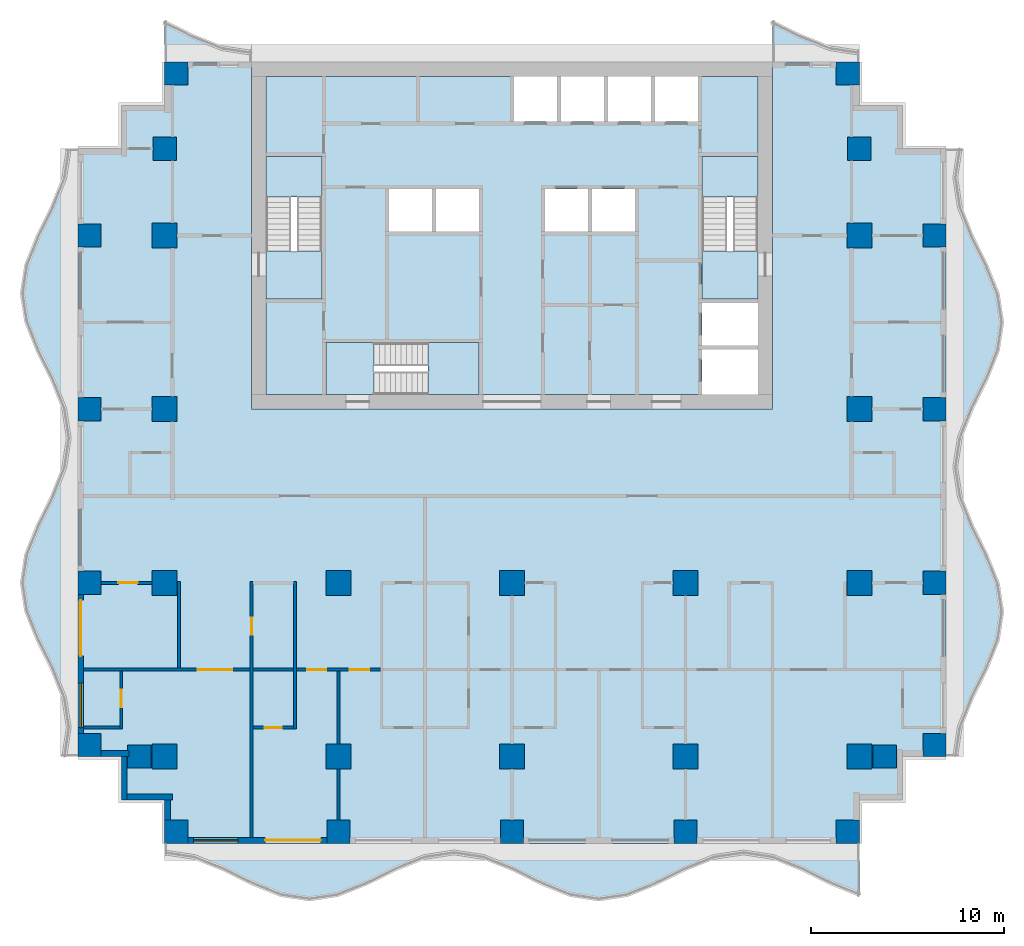
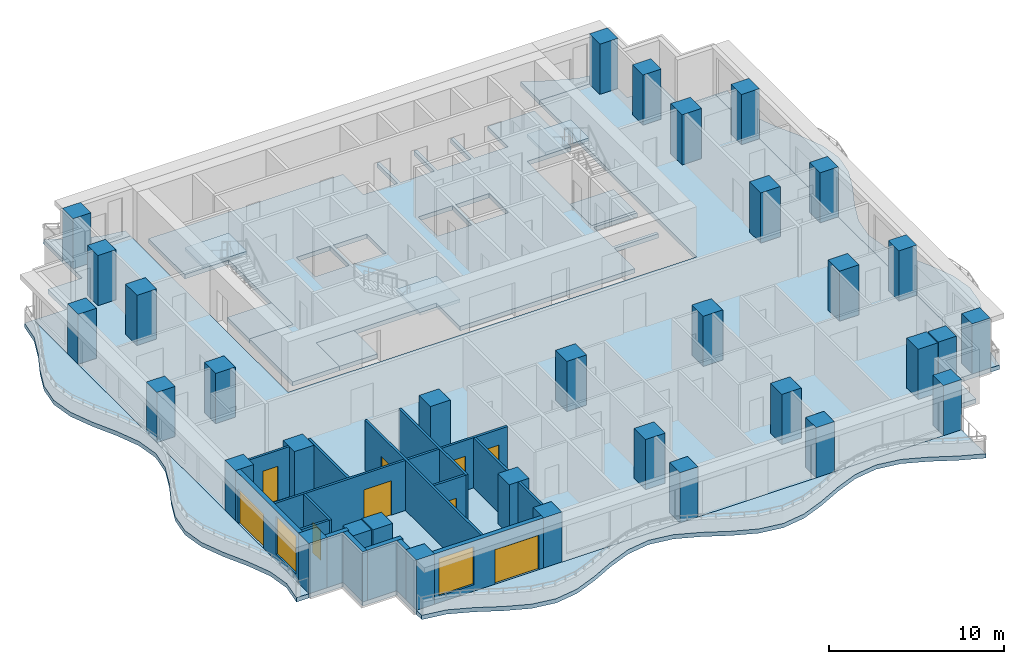
# One storey, part 1 of 10: 33 columns, 18 walls, 13 slabs, 9 doors, 2 windows, 11 openings, 3 elements without a shape of their own.
"""IFC4 building model written with IfcOpenShell, lengths in metres."""

from ifc_helpers import new_model, si_unit, direction, frame, frame_2d, origin, origin_2d, place, context, subcontext, project, spatial, polyline, rectangle, outline, extrude, material, layer, layer_set, material_profile, profile_set, type_object, element, fill, aggregate, save


model = new_model("IFC4")

# Units and contexts
model_context = context("Model", 3, precision=1e-05, world=origin(), true_north=direction((0.0, 1.0)))
body_context = subcontext(model_context, "Body", "Model", "MODEL_VIEW")
ifc_project = project(units=[si_unit("LENGTHUNIT", "METRE"), si_unit("AREAUNIT", "SQUARE_METRE"), si_unit("VOLUMEUNIT", "CUBIC_METRE"), si_unit("PLANEANGLEUNIT", "RADIAN"), si_unit("MASSUNIT", "GRAM", prefix="KILO")], contexts=[model_context])

# Site, building, storey
site_placement = place(None, origin())
site = spatial("IfcSite", under=ifc_project, at=site_placement, CompositionType="ELEMENT")
building_placement = place(site_placement, origin())
building = spatial("IfcBuilding", under=site, at=building_placement, Name="Orbiselva Terraces", CompositionType="ELEMENT")
storey_placement = place(building_placement, frame((0.0, 0.0, 136.4)))
storey = spatial("IfcBuildingStorey", under=building, at=storey_placement, Name="L34", CompositionType="ELEMENT", Elevation=136.4)

# Columns
ifc_material_1 = material(Name="Concrete C70/85", Category="concrete")
ifc_material_profile_1 = material_profile(ifc_material_1, rectangle(XDim=1.3, YDim=1.3, at=origin_2d()), Name="RC 1300x1300")
ifc_profile_set_1 = profile_set([ifc_material_profile_1], Name="Concrete C70/85")
column_type_1 = type_object("IfcColumnType", Name="COLUMN RC 1300x1300", PredefinedType="COLUMN", material=ifc_profile_set_1)
for number, where, z_axis, x_axis, name in (
    (1, (-18.0, -13.5, 0.0), (0.0, 0.0, 1.0), (1.0, 0.0, 0.0), "Column L34-01"),
    (2, (-18.0, -4.5, 0.0), (0.0, 0.0, 1.0), (1.0, 0.0, 0.0), "Column L34-03"),
    (3, (-18.0, 13.5, 0.0), (0.0, 0.0, 1.0), (1.0, 0.0, 0.0), "Column L34-04"),
    (4, (-18.0, 4.5, 0.0), (0.0, 0.0, 1.0), (1.0, 0.0, 0.0), "Column L34-06"),
    (5, (-9.0, -13.5, 0.0), (0.0, 0.0, 1.0), (1.0, 0.0, 0.0), "Column L34-13"),
    (6, (-9.0, -4.5, 0.0), (0.0, 0.0, 1.0), (1.0, 0.0, 0.0), "Column L34-15"),
    (7, (0.0, -13.5, 0.0), (0.0, 0.0, 1.0), (1.0, 0.0, 0.0), "Column L34-16"),
    (8, (0.0, -4.5, 0.0), (0.0, 0.0, 1.0), (1.0, 0.0, 0.0), "Column L34-18"),
    (9, (18.0, -13.5, 0.0), (0.0, 0.0, 1.0), (1.0, 0.0, 0.0), "Column L34-19"),
    (10, (18.0, -4.5, 0.0), (0.0, 0.0, 1.0), (1.0, 0.0, 0.0), "Column L34-21"),
    (11, (18.0, 13.5, 0.0), (0.0, 0.0, 1.0), (1.0, 0.0, 0.0), "Column L34-22"),
    (12, (18.0, 4.5, 0.0), (0.0, 0.0, 1.0), (1.0, 0.0, 0.0), "Column L34-24"),
    (13, (9.0, -13.5, 0.0), (0.0, 0.0, 1.0), (1.0, 0.0, 0.0), "Column L34-31"),
    (14, (9.0, -4.5, 0.0), (0.0, 0.0, 1.0), (1.0, 0.0, 0.0), "Column L34-33"),
):
    element("IfcColumn", number, at=place(storey_placement, frame(where, z_axis=z_axis, x_axis=x_axis)), inside=storey, type_object=column_type_1, Name=name, PredefinedType="COLUMN", context=body_context, shape_type="SweptSolid", body=[
        extrude(rectangle(XDim=1.3, YDim=1.3, at=origin_2d()), origin(), (0.0, 0.0, 1.0), 3.5),
    ])
ifc_material_2 = material(Name="Concrete C60/75", Category="concrete")
ifc_material_profile_2 = material_profile(ifc_material_2, rectangle(XDim=1.2, YDim=1.2, at=origin_2d()), Name="RC 1200x1200")
ifc_profile_set_2 = profile_set([ifc_material_profile_2], Name="Concrete C60/75")
column_type_2 = type_object("IfcColumnType", Name="PERIMETER COLUMN RC 1200x1200", PredefinedType="COLUMN", material=ifc_profile_set_2)
for number, where, z_axis, x_axis, name in (
    (15, (-17.4, -17.4, 0.0), (0.0, 0.0, 1.0), (1.0, 0.0, 0.0), "Column L34-02"),
    (16, (-17.4, 21.9, 0.0), (0.0, 0.0, 1.0), (1.0, 0.0, 0.0), "Column L34-05"),
    (17, (-21.9, -12.9, 0.0), (0.0, 0.0, 1.0), (1.0, 0.0, 0.0), "Column L34-07"),
    (18, (-19.32, -13.5, 0.0), (0.0, 0.0, 1.0), (1.0, 0.0, 0.0), "Column L34-08"),
    (19, (-21.9, -4.5, 0.0), (0.0, 0.0, 1.0), (1.0, 0.0, 0.0), "Column L34-09"),
    (20, (-21.9, 13.5, 0.0), (0.0, 0.0, 1.0), (1.0, 0.0, 0.0), "Column L34-10"),
    (21, (-18.0, 18.0, 0.0), (0.0, 0.0, 1.0), (1.0, 0.0, 0.0), "Column L34-11"),
    (22, (-21.9, 4.5, 0.0), (0.0, 0.0, 1.0), (1.0, 0.0, 0.0), "Column L34-12"),
    (23, (-9.0, -17.4, 0.0), (0.0, 0.0, 1.0), (1.0, 0.0, 0.0), "Column L34-14"),
    (24, (0.0, -17.4, 0.0), (0.0, 0.0, 1.0), (1.0, 0.0, 0.0), "Column L34-17"),
    (25, (17.4, -17.4, 0.0), (0.0, 0.0, 1.0), (1.0, 0.0, 0.0), "Column L34-20"),
    (26, (17.4, 21.9, 0.0), (0.0, 0.0, 1.0), (1.0, 0.0, 0.0), "Column L34-23"),
    (27, (21.9, -12.9, 0.0), (0.0, 0.0, 1.0), (1.0, 0.0, 0.0), "Column L34-25"),
    (28, (19.32, -13.5, 0.0), (0.0, 0.0, 1.0), (1.0, 0.0, 0.0), "Column L34-26"),
    (29, (21.9, -4.5, 0.0), (0.0, 0.0, 1.0), (1.0, 0.0, 0.0), "Column L34-27"),
    (30, (21.9, 13.5, 0.0), (0.0, 0.0, 1.0), (1.0, 0.0, 0.0), "Column L34-28"),
    (31, (18.0, 18.0, 0.0), (0.0, 0.0, 1.0), (1.0, 0.0, 0.0), "Column L34-29"),
    (32, (21.9, 4.5, 0.0), (0.0, 0.0, 1.0), (1.0, 0.0, 0.0), "Column L34-30"),
    (33, (9.0, -17.4, 0.0), (0.0, 0.0, 1.0), (1.0, 0.0, 0.0), "Column L34-32"),
):
    element("IfcColumn", number, at=place(storey_placement, frame(where, z_axis=z_axis, x_axis=x_axis)), inside=storey, type_object=column_type_2, Name=name, PredefinedType="COLUMN", context=body_context, shape_type="SweptSolid", body=[
        extrude(rectangle(XDim=1.2, YDim=1.2, at=origin_2d()), origin(), (0.0, 0.0, 1.0), 3.5),
    ])

# Slabs
ifc_material_3 = material(Name="Concrete C40/50", Category="concrete")
ifc_layer_1 = layer(ifc_material_3, 0.3)
ifc_layer_set_1 = layer_set([ifc_layer_1], Name="Concrete C40/50")
slab_type_1 = type_object("IfcSlabType", Name="CORE-SLAB-FLOOR-300", PredefinedType="FLOOR", material=ifc_layer_set_1)
slab_1_placement = place(storey_placement, frame((0.0, 0.0, -0.3)))
element("IfcSlab", 34, at=slab_1_placement, inside=storey, type_object=slab_type_1, Name="L34 S1 floor landing", PredefinedType="FLOOR", context=body_context, shape_type="SweptSolid", body=[
    extrude(outline(polyline([(-12.75, 12.7), (-9.85, 12.7), (-9.85, 10.2), (-12.75, 10.2), (-12.75, 12.7)])), origin(), (0.0, 0.0, 1.0), 0.3),
])
slab_2_placement = place(storey_placement, frame((0.0, 0.0, -0.3)))
element("IfcSlab", 35, at=slab_2_placement, inside=storey, type_object=slab_type_1, Name="L34 S2 floor landing", PredefinedType="FLOOR", context=body_context, shape_type="SweptSolid", body=[
    extrude(outline(polyline([(12.75, 12.7), (12.75, 10.2), (9.85, 10.2), (9.85, 12.7), (12.75, 12.7)])), origin(), (0.0, 0.0, 1.0), 0.3),
])
slab_3_placement = place(storey_placement, frame((0.0, 0.0, -0.3)))
element("IfcSlab", 36, at=slab_3_placement, inside=storey, type_object=slab_type_1, Name="L34 S3 floor landing", PredefinedType="FLOOR", context=body_context, shape_type="SweptSolid", body=[
    extrude(outline(polyline([(-7.15, 5.25), (-9.65, 5.25), (-9.65, 7.95), (-7.15, 7.95), (-7.15, 5.25)])), origin(), (0.0, 0.0, 1.0), 0.3),
])
slab_4_placement = place(storey_placement, frame((0.0, 0.0, -0.3)))
element("IfcSlab", 37, at=slab_4_placement, inside=storey, type_object=slab_type_1, Name="L34 core floor slab 1", PredefinedType="FLOOR", context=body_context, shape_type="SweptSolid", body=[
    extrude(outline(polyline([(-1.7, 5.25), (-1.7, 7.95), (-9.65, 7.95), (-9.65, 5.25), (-12.75, 5.25), (-12.75, 10.2), (-9.85, 10.2), (-9.85, 17.6), (-12.75, 17.6), (-12.75, 21.75), (0.1, 21.75), (0.1, 19.4), (2.3375, 19.4), (2.3375, 21.75), (2.5375, 21.75), (2.5375, 19.4), (4.775, 19.4), (4.775, 21.75), (4.975, 21.75), (4.975, 19.4), (7.2125, 19.4), (7.2125, 21.75), (7.4125, 21.75), (7.4125, 19.4), (9.65, 19.4), (9.65, 21.75), (12.75, 21.75), (12.75, 17.6), (9.85, 17.6), (9.85, 10.2), (12.75, 10.2), (12.75, 10.0), (9.85, 10.0), (9.85, 7.8), (12.75, 7.8), (12.75, 7.6), (9.85, 7.6), (9.85, 5.25), (-1.7, 5.25)]), holes=[polyline([(-4.1375, 13.7), (-4.1375, 15.9), (-6.375, 15.9), (-6.375, 13.7), (-4.1375, 13.7)]), polyline([(-1.7, 13.7), (-1.7, 15.9), (-3.9375, 15.9), (-3.9375, 13.7), (-1.7, 13.7)]), polyline([(3.9375, 15.9), (1.7, 15.9), (1.7, 13.7), (3.9375, 13.7), (3.9375, 15.9)]), polyline([(6.375, 13.7), (6.375, 15.9), (4.1375, 15.9), (4.1375, 13.7), (6.375, 13.7)])]), origin(), (0.0, 0.0, 1.0), 0.3),
])

# Stair, slab
stair_type_1 = type_object("IfcStairType", Name="CORE-STAIR-1300", PredefinedType="HALF_TURN_STAIR", material=ifc_material_3)
stair_1_placement = place(storey_placement, origin())
stair_1 = element("IfcStair", 38, at=stair_1_placement, inside=storey, type_object=stair_type_1, Name="L34 Exit Stair S1", PredefinedType="HALF_TURN_STAIR")
ifc_layer_2 = layer(ifc_material_3, 0.2)
ifc_layer_set_2 = layer_set([ifc_layer_2], Name="Concrete C40/50")
slab_type_2 = type_object("IfcSlabType", Name="CORE-STAIR-LANDING-200", PredefinedType="LANDING", material=ifc_layer_set_2)
slab_5_placement = place(storey_placement, frame((0.0, 0.0, 1.7)))
slab_5 = element("IfcSlab", 39, at=slab_5_placement, type_object=slab_type_2, Name="S1 landing 1", PredefinedType="LANDING", context=body_context, shape_type="SweptSolid", body=[
    extrude(outline(polyline([(-9.85, 15.5), (-9.85, 17.6), (-12.75, 17.6), (-12.75, 15.5), (-9.85, 15.5)])), origin(), (0.0, 0.0, 1.0), 0.2),
])
aggregate(stair_1, [slab_5])

stair_2_placement = place(storey_placement, origin())
stair_2 = element("IfcStair", 40, at=stair_2_placement, inside=storey, type_object=stair_type_1, Name="L34 Exit Stair S2", PredefinedType="HALF_TURN_STAIR")
slab_6_placement = place(storey_placement, frame((0.0, 0.0, 1.7)))
slab_6 = element("IfcSlab", 41, at=slab_6_placement, type_object=slab_type_2, Name="S2 landing 1", PredefinedType="LANDING", context=body_context, shape_type="SweptSolid", body=[
    extrude(outline(polyline([(12.75, 15.5), (12.75, 17.6), (9.85, 17.6), (9.85, 15.5), (12.75, 15.5)])), origin(), (0.0, 0.0, 1.0), 0.2),
])
aggregate(stair_2, [slab_6])

stair_type_2 = type_object("IfcStairType", Name="CORE-STAIR-1200", PredefinedType="HALF_TURN_STAIR", material=ifc_material_3)
stair_3_placement = place(storey_placement, origin())
stair_3 = element("IfcStair", 42, at=stair_3_placement, inside=storey, type_object=stair_type_2, Name="L34 Exit Stair S3", PredefinedType="HALF_TURN_STAIR")
slab_7_placement = place(storey_placement, frame((0.0, 0.0, 1.7)))
slab_7 = element("IfcSlab", 43, at=slab_7_placement, type_object=slab_type_2, Name="S3 landing 1", PredefinedType="LANDING", context=body_context, shape_type="SweptSolid", body=[
    extrude(outline(polyline([(-4.35, 5.25), (-1.7, 5.25), (-1.7, 7.95), (-4.35, 7.95), (-4.35, 5.25)])), origin(), (0.0, 0.0, 1.0), 0.2),
])
aggregate(stair_3, [slab_7])

# Slabs
ifc_material_4 = material(Name="Concrete C50/60", Category="concrete")
ifc_layer_3 = layer(ifc_material_4, 0.3)
ifc_layer_set_3 = layer_set([ifc_layer_3], Name="Concrete C50/60")
slab_type_3 = type_object("IfcSlabType", Name="ENV-BALCONY-SLAB-300", PredefinedType="FLOOR", material=ifc_layer_set_3)
slab_8_placement = place(storey_placement, frame((0.0, 0.0, -0.3)))
element("IfcSlab", 44, at=slab_8_placement, inside=storey, type_object=slab_type_3, Name="Balcony slab L34 S", PredefinedType="FLOOR", context=body_context, shape_type="SweptSolid", body=[
    extrude(outline(polyline([(-18.0, -18.6), (-16.5, -18.82918), (-15.0, -19.42918), (-13.5, -20.17082), (-12.0, -20.77082), (-10.5, -21.0), (-9.0, -20.77082), (-7.5, -20.17082), (-6.0, -19.42918), (-4.5, -18.82918), (-3.0, -18.6), (-1.5, -18.82918), (0.0, -19.42918), (1.5, -20.17082), (3.0, -20.77082), (4.5, -21.0), (6.0, -20.77082), (7.5, -20.17082), (9.0, -19.42918), (10.5, -18.82918), (12.0, -18.6), (13.5, -18.82918), (15.0, -19.42918), (16.5, -20.17082), (18.0, -20.77082), (18.0, -18.0), (-18.0, -18.0), (-18.0, -18.6)])), origin(), (0.0, 0.0, 1.0), 0.3),
])
slab_9_placement = place(storey_placement, frame((0.0, 0.0, -0.3)))
element("IfcSlab", 45, at=slab_9_placement, inside=storey, type_object=slab_type_3, Name="Balcony slab L34 E", PredefinedType="FLOOR", context=body_context, shape_type="SweptSolid", body=[
    extrude(outline(polyline([(23.1, -13.5), (23.32918, -12.0), (23.92918, -10.5), (24.67082, -9.0), (25.27082, -7.5), (25.5, -6.0), (25.27082, -4.5), (24.67082, -3.0), (23.92918, -1.5), (23.32918, 0.0), (23.1, 1.5), (23.32918, 3.0), (23.92918, 4.5), (24.67082, 6.0), (25.27082, 7.5), (25.5, 9.0), (25.27082, 10.5), (24.67082, 12.0), (23.92918, 13.5), (23.32918, 15.0), (23.1, 16.5), (23.32918, 18.0), (22.5, 18.0), (22.5, -13.5), (23.1, -13.5)])), origin(), (0.0, 0.0, 1.0), 0.3),
])
slab_10_placement = place(storey_placement, frame((0.0, 0.0, -0.3)))
element("IfcSlab", 46, at=slab_10_placement, inside=storey, type_object=slab_type_3, Name="Balcony slab L34 NE", PredefinedType="FLOOR", context=body_context, shape_type="SweptSolid", body=[
    extrude(outline(polyline([(18.0, 23.1), (16.5, 23.32918), (15.0, 23.92918), (13.5, 24.67082), (13.5, 22.5), (18.0, 22.5), (18.0, 23.1)])), origin(), (0.0, 0.0, 1.0), 0.3),
])
slab_11_placement = place(storey_placement, frame((0.0, 0.0, -0.3)))
element("IfcSlab", 47, at=slab_11_placement, inside=storey, type_object=slab_type_3, Name="Balcony slab L34 NW", PredefinedType="FLOOR", context=body_context, shape_type="SweptSolid", body=[
    extrude(outline(polyline([(-13.5, 23.1), (-15.0, 23.32918), (-16.5, 23.92918), (-18.0, 24.67082), (-18.0, 22.5), (-13.5, 22.5), (-13.5, 23.1)])), origin(), (0.0, 0.0, 1.0), 0.3),
])
slab_12_placement = place(storey_placement, frame((0.0, 0.0, -0.3)))
element("IfcSlab", 48, at=slab_12_placement, inside=storey, type_object=slab_type_3, Name="Balcony slab L34 W", PredefinedType="FLOOR", context=body_context, shape_type="SweptSolid", body=[
    extrude(outline(polyline([(-23.1, 18.0), (-23.32918, 16.5), (-23.92918, 15.0), (-24.67082, 13.5), (-25.27082, 12.0), (-25.5, 10.5), (-25.27082, 9.0), (-24.67082, 7.5), (-23.92918, 6.0), (-23.32918, 4.5), (-23.1, 3.0), (-23.32918, 1.5), (-23.92918, 0.0), (-24.67082, -1.5), (-25.27082, -3.0), (-25.5, -4.5), (-25.27082, -6.0), (-24.67082, -7.5), (-23.92918, -9.0), (-23.32918, -10.5), (-23.1, -12.0), (-23.32918, -13.5), (-22.5, -13.5), (-22.5, 18.0), (-23.1, 18.0)])), origin(), (0.0, 0.0, 1.0), 0.3),
])
ifc_layer_4 = layer(ifc_material_4, 0.3)
ifc_layer_set_4 = layer_set([ifc_layer_4], Name="Concrete C50/60")
slab_type_4 = type_object("IfcSlabType", Name="FLOOR SLAB 300", PredefinedType="FLOOR", material=ifc_layer_set_4)
slab_13_placement = place(storey_placement, frame((0.0, 0.0, -0.3)))
element("IfcSlab", 49, at=slab_13_placement, inside=storey, type_object=slab_type_4, Name="Floor slab L34", PredefinedType="FLOOR", context=body_context, shape_type="SweptSolid", body=[
    extrude(outline(polyline([(18.0, 22.5), (18.0, 20.25), (20.25, 20.25), (20.25, 18.0), (22.5, 18.0), (22.5, -13.5), (20.25, -13.5), (20.25, -15.75), (18.0, -15.75), (18.0, -18.0), (-18.0, -18.0), (-18.0, -15.75), (-20.25, -15.75), (-20.25, -13.5), (-22.5, -13.5), (-22.5, 18.0), (-20.25, 18.0), (-20.25, 20.25), (-18.0, 20.25), (-18.0, 22.5), (-13.5, 22.5), (-13.5, 4.5), (13.5, 4.5), (13.5, 22.5), (18.0, 22.5)])), origin(), (0.0, 0.0, 1.0), 0.3),
])

# Wall, openings, door, window
ifc_material_5 = material(Name="Terracotta cladding on masonry backing", Category="masonry")
ifc_layer_5 = layer(ifc_material_5, 0.3)
ifc_layer_set_5 = layer_set([ifc_layer_5], Name="Terracotta cladding on masonry backing")
wall_type_1 = type_object("IfcWallType", Name="ENV-WALL-TERRACOTTA-300", PredefinedType="SOLIDWALL", material=ifc_layer_set_5)
wall_1_placement = place(storey_placement, frame((-9.6, -17.85, 0.0), z_axis=(0.0, 0.0, 1.0), x_axis=(-1.0, 0.0, 0.0)))
wall_1 = element("IfcWall", 50, at=wall_1_placement, inside=storey, type_object=wall_type_1, Name="Facade wall L34 S", PredefinedType="SOLIDWALL", context=body_context, shape_type="SweptSolid", body=[
    extrude(rectangle(XDim=7.2, YDim=0.3, at=frame_2d((3.6, 0.0))), origin(), (0.0, 0.0, 1.0), 3.5),
])
opening_1_placement = place(wall_1_placement, frame((4.6, 0.0, 0.45)))
opening_1 = element("IfcOpeningElement", 51, at=opening_1_placement, cuts=wall_1, Name="Opening WN7", PredefinedType="OPENING", context=body_context, shape_type="SweptSolid", body=[
    extrude(rectangle(XDim=2.3, YDim=2.65, at=frame_2d((1.15, 1.325))), frame((0.0, 0.16, 0.0), z_axis=(0.0, -1.0, 0.0), x_axis=(1.0, 0.0, 0.0)), (0.0, 0.0, 1.0), 0.32),
])
opening_2_placement = place(wall_1_placement, frame((0.3, 0.0, 0.0)))
opening_2 = element("IfcOpeningElement", 52, at=opening_2_placement, cuts=wall_1, Name="Opening Z3-B-E01", PredefinedType="OPENING", context=body_context, shape_type="SweptSolid", body=[
    extrude(rectangle(XDim=2.9, YDim=2.4, at=frame_2d((1.45, 1.2))), frame((0.0, 0.16, 0.0), z_axis=(0.0, -1.0, 0.0), x_axis=(1.0, 0.0, 0.0)), (0.0, 0.0, 1.0), 0.32),
])
ifc_material_6 = material(Name="Clear low-e glazing in aluminium frame", Category="aluminium")
door_type_1 = type_object("IfcDoorType", Name="BALCONY DOOR 2900 X 2400", OperationType="DOUBLE_DOOR_SLIDING", PredefinedType="DOOR", material=ifc_material_6)
door_1_placement = place(opening_2_placement, origin())
door_1 = element("IfcDoor", 53, at=door_1_placement, inside=storey, type_object=door_type_1, Name="Z3-B-E01", OperationType="SINGLE_SWING_LEFT", OverallHeight=2.4, OverallWidth=2.9, PredefinedType="DOOR", context=body_context, shape_type="SweptSolid", body=[
    extrude(rectangle(XDim=2.9, YDim=2.4, at=frame_2d((1.45, 1.2))), frame((0.0, 0.025, 0.0), z_axis=(0.0, -1.0, 0.0), x_axis=(1.0, 0.0, 0.0)), (0.0, 0.0, 1.0), 0.05),
])
fill(opening_2, door_1)
window_type = type_object("IfcWindowType", Name="WINDOW 2300 X 2650 S450", PartitioningType="TRIPLE_PANEL_VERTICAL", PredefinedType="WINDOW", material=ifc_material_6)
window_1_placement = place(opening_1_placement, origin())
window_1 = element("IfcWindow", 54, at=window_1_placement, inside=storey, type_object=window_type, Name="Window L34 S", OverallHeight=2.65, OverallWidth=2.3, PartitioningType="SINGLE_PANEL", PredefinedType="WINDOW", context=body_context, shape_type="SweptSolid", body=[
    extrude(rectangle(XDim=2.3, YDim=2.65, at=frame_2d((1.15, 1.325))), frame((0.0, 0.03, 0.0), z_axis=(0.0, -1.0, 0.0), x_axis=(1.0, 0.0, 0.0)), (0.0, 0.0, 1.0), 0.06),
])
fill(opening_1, window_1)

wall_2_placement = place(storey_placement, frame((-22.35, -12.3, 0.0), z_axis=(0.0, 0.0, 1.0), x_axis=(0.0, 1.0, 0.0)))
wall_2 = element("IfcWall", 55, at=wall_2_placement, inside=storey, type_object=wall_type_1, Name="Facade wall L34 W", PredefinedType="SOLIDWALL", context=body_context, shape_type="SweptSolid", body=[
    extrude(rectangle(XDim=7.2, YDim=0.3, at=frame_2d((3.6, 0.0))), origin(), (0.0, 0.0, 1.0), 3.5),
])
opening_3_placement = place(wall_2_placement, frame((4.0, 0.0, 0.0)))
opening_3 = element("IfcOpeningElement", 56, at=opening_3_placement, cuts=wall_2, Name="Opening Z3-B-E11", PredefinedType="OPENING", context=body_context, shape_type="SweptSolid", body=[
    extrude(rectangle(XDim=2.9, YDim=2.4, at=frame_2d((1.45, 1.2))), frame((0.0, 0.16, 0.0), z_axis=(0.0, -1.0, 0.0), x_axis=(1.0, 0.0, 0.0)), (0.0, 0.0, 1.0), 0.32),
])
opening_4_placement = place(wall_2_placement, frame((0.3, 0.0, 0.45)))
opening_4 = element("IfcOpeningElement", 57, at=opening_4_placement, cuts=wall_2, Name="Opening WN7", PredefinedType="OPENING", context=body_context, shape_type="SweptSolid", body=[
    extrude(rectangle(XDim=2.3, YDim=2.65, at=frame_2d((1.15, 1.325))), frame((0.0, 0.16, 0.0), z_axis=(0.0, -1.0, 0.0), x_axis=(1.0, 0.0, 0.0)), (0.0, 0.0, 1.0), 0.32),
])
door_2_placement = place(opening_3_placement, origin())
door_2 = element("IfcDoor", 58, at=door_2_placement, inside=storey, type_object=door_type_1, Name="Z3-B-E11", OperationType="SINGLE_SWING_LEFT", OverallHeight=2.4, OverallWidth=2.9, PredefinedType="DOOR", context=body_context, shape_type="SweptSolid", body=[
    extrude(rectangle(XDim=2.9, YDim=2.4, at=frame_2d((1.45, 1.2))), frame((0.0, 0.025, 0.0), z_axis=(0.0, -1.0, 0.0), x_axis=(1.0, 0.0, 0.0)), (0.0, 0.0, 1.0), 0.05),
])
fill(opening_3, door_2)
window_2_placement = place(opening_4_placement, origin())
window_2 = element("IfcWindow", 59, at=window_2_placement, inside=storey, type_object=window_type, Name="Window L34 W", OverallHeight=2.65, OverallWidth=2.3, PartitioningType="SINGLE_PANEL", PredefinedType="WINDOW", context=body_context, shape_type="SweptSolid", body=[
    extrude(rectangle(XDim=2.3, YDim=2.65, at=frame_2d((1.15, 1.325))), frame((0.0, 0.03, 0.0), z_axis=(0.0, -1.0, 0.0), x_axis=(1.0, 0.0, 0.0)), (0.0, 0.0, 1.0), 0.06),
])
fill(opening_4, window_2)

# Walls
wall_3_placement = place(storey_placement, frame((-19.85, -13.35, 0.0), z_axis=(0.0, 0.0, 1.0), x_axis=(-1.0, 0.0, 0.0)))
element("IfcWall", 60, at=wall_3_placement, inside=storey, type_object=wall_type_1, Name="Facade wall L34 STEP", PredefinedType="SOLIDWALL", context=body_context, shape_type="SweptSolid", body=[
    extrude(rectangle(XDim=1.45, YDim=0.3, at=frame_2d((0.725, 0.0))), origin(), (0.0, 0.0, 1.0), 3.5),
])
wall_4_placement = place(storey_placement, frame((-20.1, -15.75, 0.0), z_axis=(0.0, 0.0, 1.0), x_axis=(0.0, 1.0, 0.0)))
element("IfcWall", 61, at=wall_4_placement, inside=storey, type_object=wall_type_1, Name="Facade wall L34 STEP", PredefinedType="SOLIDWALL", context=body_context, shape_type="SweptSolid", body=[
    extrude(rectangle(XDim=2.25, YDim=0.3, at=frame_2d((1.125, 0.0))), origin(), (0.0, 0.0, 1.0), 3.5),
])
wall_5_placement = place(storey_placement, frame((-17.6, -15.6, 0.0), z_axis=(0.0, 0.0, 1.0), x_axis=(-1.0, 0.0, 0.0)))
element("IfcWall", 62, at=wall_5_placement, inside=storey, type_object=wall_type_1, Name="Facade wall L34 STEP", PredefinedType="SOLIDWALL", context=body_context, shape_type="SweptSolid", body=[
    extrude(rectangle(XDim=2.35, YDim=0.3, at=frame_2d((1.175, 0.0))), origin(), (0.0, 0.0, 1.0), 3.5),
])
wall_6_placement = place(storey_placement, frame((-17.85, -16.8, 0.0), z_axis=(0.0, 0.0, 1.0), x_axis=(0.0, 1.0, 0.0)))
element("IfcWall", 63, at=wall_6_placement, inside=storey, type_object=wall_type_1, Name="Facade wall L34 STEP", PredefinedType="SOLIDWALL", context=body_context, shape_type="SweptSolid", body=[
    extrude(rectangle(XDim=1.05, YDim=0.3, at=frame_2d((0.525, 0.0))), origin(), (0.0, 0.0, 1.0), 3.5),
])
ifc_material_7 = material(Name="Plasterboard on steel stud partition", Category="steel")
ifc_layer_6 = layer(ifc_material_7, 0.15)
ifc_layer_set_6 = layer_set([ifc_layer_6], Name="Plasterboard on steel stud partition")
wall_type_2 = type_object("IfcWallType", Name="UNIT-PARTITION-150", PredefinedType="PARTITIONING", material=ifc_layer_set_6)
wall_7_placement = place(storey_placement, frame((-22.2, -12.0, 0.0), z_axis=(0.0, 0.0, 1.0), x_axis=(1.0, 0.0, 0.0)))
element("IfcWall", 64, at=wall_7_placement, inside=storey, type_object=wall_type_2, Name="PARTITION L34-001", PredefinedType="PARTITIONING", context=body_context, shape_type="SweptSolid", body=[
    extrude(rectangle(XDim=1.875, YDim=0.15, at=frame_2d((0.9375, 0.0))), origin(), (0.0, 0.0, 1.0), 3.5),
])

# Wall, opening, door
wall_8_placement = place(storey_placement, frame((-13.425, -12.0, 0.0), z_axis=(0.0, 0.0, 1.0), x_axis=(1.0, 0.0, 0.0)))
wall_8 = element("IfcWall", 65, at=wall_8_placement, inside=storey, type_object=wall_type_2, Name="PARTITION L34-002", PredefinedType="PARTITIONING", context=body_context, shape_type="SweptSolid", body=[
    extrude(rectangle(XDim=2.1, YDim=0.15, at=frame_2d((1.05, 0.0))), origin(), (0.0, 0.0, 1.0), 3.5),
])
opening_5_placement = place(wall_8_placement, frame((0.6, 0.0, 0.0)))
opening_5 = element("IfcOpeningElement", 66, at=opening_5_placement, cuts=wall_8, Name="Opening Z3-B-20", PredefinedType="OPENING", context=body_context, shape_type="SweptSolid", body=[
    extrude(rectangle(XDim=0.9, YDim=2.1, at=frame_2d((0.45, 1.05))), frame((0.0, 0.085, 0.0), z_axis=(0.0, -1.0, 0.0), x_axis=(1.0, 0.0, 0.0)), (0.0, 0.0, 1.0), 0.17),
])
ifc_material_8 = material(Name="Painted timber door leaf", Category="wood")
door_type_2 = type_object("IfcDoorType", Name="BATH DOOR 900", OperationType="NOTDEFINED", PredefinedType="DOOR", material=ifc_material_8)
door_3_placement = place(opening_5_placement, origin())
door_3 = element("IfcDoor", 67, at=door_3_placement, inside=storey, type_object=door_type_2, Name="Z3-B-20", OperationType="SINGLE_SWING_LEFT", OverallHeight=2.1, OverallWidth=0.9, PredefinedType="DOOR", context=body_context, shape_type="SweptSolid", body=[
    extrude(rectangle(XDim=0.9, YDim=2.1, at=frame_2d((0.45, 1.05))), frame((0.0, 0.025, 0.0), z_axis=(0.0, -1.0, 0.0), x_axis=(1.0, 0.0, 0.0)), (0.0, 0.0, 1.0), 0.05),
])
fill(opening_5, door_3)

wall_9_placement = place(storey_placement, frame((-13.575, -9.0, 0.0), z_axis=(0.0, 0.0, 1.0), x_axis=(-1.0, 0.0, 0.0)))
wall_9 = element("IfcWall", 68, at=wall_9_placement, inside=storey, type_object=wall_type_2, Name="PARTITION L34-008", PredefinedType="PARTITIONING", context=body_context, shape_type="SweptSolid", body=[
    extrude(rectangle(XDim=8.625, YDim=0.15, at=frame_2d((4.3125, 0.0))), origin(), (0.0, 0.0, 1.0), 3.5),
])
opening_6_placement = place(wall_9_placement, frame((0.925, 0.0, 0.0)))
opening_6 = element("IfcOpeningElement", 69, at=opening_6_placement, cuts=wall_9, Name="Opening Z3-B-17", PredefinedType="OPENING", context=body_context, shape_type="SweptSolid", body=[
    extrude(rectangle(XDim=1.8, YDim=2.4, at=frame_2d((0.9, 1.2))), frame((0.0, 0.085, 0.0), z_axis=(0.0, -1.0, 0.0), x_axis=(1.0, 0.0, 0.0)), (0.0, 0.0, 1.0), 0.17),
])
door_type_3 = type_object("IfcDoorType", Name="DOUBLE DOOR 1800", OperationType="NOTDEFINED", PredefinedType="DOOR", material=ifc_material_8)
door_4_placement = place(opening_6_placement, origin())
door_4 = element("IfcDoor", 70, at=door_4_placement, inside=storey, type_object=door_type_3, Name="Z3-B-17", OperationType="DOUBLE_DOOR_SINGLE_SWING", OverallHeight=2.4, OverallWidth=1.8, PredefinedType="DOOR", context=body_context, shape_type="SweptSolid", body=[
    extrude(rectangle(XDim=1.8, YDim=2.4, at=frame_2d((0.9, 1.2))), frame((0.0, 0.025, 0.0), z_axis=(0.0, -1.0, 0.0), x_axis=(1.0, 0.0, 0.0)), (0.0, 0.0, 1.0), 0.05),
])
fill(opening_6, door_4)

# Wall
wall_10_placement = place(storey_placement, frame((-13.425, -9.0, 0.0), z_axis=(0.0, 0.0, 1.0), x_axis=(1.0, 0.0, 0.0)))
element("IfcWall", 71, at=wall_10_placement, inside=storey, type_object=wall_type_2, Name="PARTITION L34-009", PredefinedType="PARTITIONING", context=body_context, shape_type="SweptSolid", body=[
    extrude(rectangle(XDim=2.1, YDim=0.15, at=frame_2d((1.05, 0.0))), origin(), (0.0, 0.0, 1.0), 3.5),
])

# Wall, openings, doors
wall_11_placement = place(storey_placement, frame((-6.825, -9.0, 0.0), z_axis=(0.0, 0.0, 1.0), x_axis=(-1.0, 0.0, 0.0)))
wall_11 = element("IfcWall", 72, at=wall_11_placement, inside=storey, type_object=wall_type_2, Name="PARTITION L34-010", PredefinedType="PARTITIONING", context=body_context, shape_type="SweptSolid", body=[
    extrude(rectangle(XDim=4.35, YDim=0.15, at=frame_2d((2.175, 0.0))), origin(), (0.0, 0.0, 1.0), 3.5),
])
opening_7_placement = place(wall_11_placement, frame((2.8, 0.0, 0.0)))
opening_7 = element("IfcOpeningElement", 73, at=opening_7_placement, cuts=wall_11, Name="Opening Z3-B-19", PredefinedType="OPENING", context=body_context, shape_type="SweptSolid", body=[
    extrude(rectangle(XDim=1.0, YDim=2.4, at=frame_2d((0.5, 1.2))), frame((0.0, 0.085, 0.0), z_axis=(0.0, -1.0, 0.0), x_axis=(1.0, 0.0, 0.0)), (0.0, 0.0, 1.0), 0.17),
])
opening_8_placement = place(wall_11_placement, frame((0.575, 0.0, 0.0)))
opening_8 = element("IfcOpeningElement", 74, at=opening_8_placement, cuts=wall_11, Name="Opening Z3-B-21", PredefinedType="OPENING", context=body_context, shape_type="SweptSolid", body=[
    extrude(rectangle(XDim=1.0, YDim=2.4, at=frame_2d((0.5, 1.2))), frame((0.0, 0.085, 0.0), z_axis=(0.0, -1.0, 0.0), x_axis=(1.0, 0.0, 0.0)), (0.0, 0.0, 1.0), 0.17),
])
door_type_4 = type_object("IfcDoorType", Name="ROOM DOOR 1000", OperationType="NOTDEFINED", PredefinedType="DOOR", material=ifc_material_8)
door_5_placement = place(opening_7_placement, origin())
door_5 = element("IfcDoor", 75, at=door_5_placement, inside=storey, type_object=door_type_4, Name="Z3-B-19", OperationType="SINGLE_SWING_RIGHT", OverallHeight=2.4, OverallWidth=1.0, PredefinedType="DOOR", context=body_context, shape_type="SweptSolid", body=[
    extrude(rectangle(XDim=1.0, YDim=2.4, at=frame_2d((0.5, 1.2))), frame((0.0, 0.025, 0.0), z_axis=(0.0, -1.0, 0.0), x_axis=(1.0, 0.0, 0.0)), (0.0, 0.0, 1.0), 0.05),
])
fill(opening_7, door_5)
door_6_placement = place(opening_8_placement, origin())
door_6 = element("IfcDoor", 76, at=door_6_placement, inside=storey, type_object=door_type_4, Name="Z3-B-21", OperationType="SINGLE_SWING_LEFT", OverallHeight=2.4, OverallWidth=1.0, PredefinedType="DOOR", context=body_context, shape_type="SweptSolid", body=[
    extrude(rectangle(XDim=1.0, YDim=2.4, at=frame_2d((0.5, 1.2))), frame((0.0, 0.025, 0.0), z_axis=(0.0, -1.0, 0.0), x_axis=(1.0, 0.0, 0.0)), (0.0, 0.0, 1.0), 0.05),
])
fill(opening_8, door_6)

# Wall, opening, door
wall_12_placement = place(storey_placement, frame((-18.65, -4.5, 0.0), z_axis=(0.0, 0.0, 1.0), x_axis=(-1.0, 0.0, 0.0)))
wall_12 = element("IfcWall", 77, at=wall_12_placement, inside=storey, type_object=wall_type_2, Name="PARTITION L34-019", PredefinedType="PARTITIONING", context=body_context, shape_type="SweptSolid", body=[
    extrude(rectangle(XDim=2.65, YDim=0.15, at=frame_2d((1.325, 0.0))), origin(), (0.0, 0.0, 1.0), 3.5),
])
opening_9_placement = place(wall_12_placement, frame((0.75, 0.0, 0.0)))
opening_9 = element("IfcOpeningElement", 78, at=opening_9_placement, cuts=wall_12, Name="Opening Z3-B-14", PredefinedType="OPENING", context=body_context, shape_type="SweptSolid", body=[
    extrude(rectangle(XDim=1.0, YDim=2.4, at=frame_2d((0.5, 1.2))), frame((0.0, 0.085, 0.0), z_axis=(0.0, -1.0, 0.0), x_axis=(1.0, 0.0, 0.0)), (0.0, 0.0, 1.0), 0.17),
])
door_7_placement = place(opening_9_placement, origin())
door_7 = element("IfcDoor", 79, at=door_7_placement, inside=storey, type_object=door_type_4, Name="Z3-B-14", OperationType="SINGLE_SWING_LEFT", OverallHeight=2.4, OverallWidth=1.0, PredefinedType="DOOR", context=body_context, shape_type="SweptSolid", body=[
    extrude(rectangle(XDim=1.0, YDim=2.4, at=frame_2d((0.5, 1.2))), frame((0.0, 0.025, 0.0), z_axis=(0.0, -1.0, 0.0), x_axis=(1.0, 0.0, 0.0)), (0.0, 0.0, 1.0), 0.05),
])
fill(opening_9, door_7)

wall_13_placement = place(storey_placement, frame((-20.25, -12.075, 0.0), z_axis=(0.0, 0.0, 1.0), x_axis=(0.0, 1.0, 0.0)))
wall_13 = element("IfcWall", 80, at=wall_13_placement, inside=storey, type_object=wall_type_2, Name="PARTITION L34-040", PredefinedType="PARTITIONING", context=body_context, shape_type="SweptSolid", body=[
    extrude(rectangle(XDim=3.0, YDim=0.15, at=frame_2d((1.5, 0.0))), origin(), (0.0, 0.0, 1.0), 3.5),
])
opening_10_placement = place(wall_13_placement, frame((1.125, 0.0, 0.0)))
opening_10 = element("IfcOpeningElement", 81, at=opening_10_placement, cuts=wall_13, Name="Opening Z3-B-18", PredefinedType="OPENING", context=body_context, shape_type="SweptSolid", body=[
    extrude(rectangle(XDim=0.9, YDim=2.1, at=frame_2d((0.45, 1.05))), frame((0.0, 0.085, 0.0), z_axis=(0.0, -1.0, 0.0), x_axis=(1.0, 0.0, 0.0)), (0.0, 0.0, 1.0), 0.17),
])
door_8_placement = place(opening_10_placement, origin())
door_8 = element("IfcDoor", 82, at=door_8_placement, inside=storey, type_object=door_type_2, Name="Z3-B-18", OperationType="SINGLE_SWING_RIGHT", OverallHeight=2.1, OverallWidth=0.9, PredefinedType="DOOR", context=body_context, shape_type="SweptSolid", body=[
    extrude(rectangle(XDim=0.9, YDim=2.1, at=frame_2d((0.45, 1.05))), frame((0.0, 0.025, 0.0), z_axis=(0.0, -1.0, 0.0), x_axis=(1.0, 0.0, 0.0)), (0.0, 0.0, 1.0), 0.05),
])
fill(opening_10, door_8)

# Wall
wall_14_placement = place(storey_placement, frame((-17.25, -8.925, 0.0), z_axis=(0.0, 0.0, 1.0), x_axis=(0.0, 1.0, 0.0)))
element("IfcWall", 83, at=wall_14_placement, inside=storey, type_object=wall_type_2, Name="PARTITION L34-046", PredefinedType="PARTITIONING", context=body_context, shape_type="SweptSolid", body=[
    extrude(rectangle(XDim=4.5, YDim=0.15, at=frame_2d((2.25, 0.0))), origin(), (0.0, 0.0, 1.0), 3.5),
])

# Wall, opening, door
wall_15_placement = place(storey_placement, frame((-13.5, -4.425, 0.0), z_axis=(0.0, 0.0, 1.0), x_axis=(0.0, -1.0, 0.0)))
wall_15 = element("IfcWall", 84, at=wall_15_placement, inside=storey, type_object=wall_type_2, Name="PARTITION L34-047", PredefinedType="PARTITIONING", context=body_context, shape_type="SweptSolid", body=[
    extrude(rectangle(XDim=13.275, YDim=0.15, at=frame_2d((6.6375, 0.0))), origin(), (0.0, 0.0, 1.0), 3.5),
])
opening_11_placement = place(wall_15_placement, frame((1.875, 0.0, 0.0)))
opening_11 = element("IfcOpeningElement", 85, at=opening_11_placement, cuts=wall_15, Name="Opening Z3-B-15", PredefinedType="OPENING", context=body_context, shape_type="SweptSolid", body=[
    extrude(rectangle(XDim=0.9, YDim=2.1, at=frame_2d((0.45, 1.05))), frame((0.0, 0.085, 0.0), z_axis=(0.0, -1.0, 0.0), x_axis=(1.0, 0.0, 0.0)), (0.0, 0.0, 1.0), 0.17),
])
door_9_placement = place(opening_11_placement, origin())
door_9 = element("IfcDoor", 86, at=door_9_placement, inside=storey, type_object=door_type_2, Name="Z3-B-15", OperationType="SINGLE_SWING_LEFT", OverallHeight=2.1, OverallWidth=0.9, PredefinedType="DOOR", context=body_context, shape_type="SweptSolid", body=[
    extrude(rectangle(XDim=0.9, YDim=2.1, at=frame_2d((0.45, 1.05))), frame((0.0, 0.025, 0.0), z_axis=(0.0, -1.0, 0.0), x_axis=(1.0, 0.0, 0.0)), (0.0, 0.0, 1.0), 0.05),
])
fill(opening_11, door_9)

# Walls
wall_16_placement = place(storey_placement, frame((-11.25, -12.075, 0.0), z_axis=(0.0, 0.0, 1.0), x_axis=(0.0, 1.0, 0.0)))
element("IfcWall", 87, at=wall_16_placement, inside=storey, type_object=wall_type_2, Name="PARTITION L34-048", PredefinedType="PARTITIONING", context=body_context, shape_type="SweptSolid", body=[
    extrude(rectangle(XDim=7.65, YDim=0.15, at=frame_2d((3.825, 0.0))), origin(), (0.0, 0.0, 1.0), 3.5),
])
wall_17_placement = place(storey_placement, frame((-9.0, -16.8, 0.0), z_axis=(0.0, 0.0, 1.0), x_axis=(0.0, 1.0, 0.0)))
element("IfcWall", 88, at=wall_17_placement, inside=storey, type_object=wall_type_2, Name="PARTITION L34-049", PredefinedType="PARTITIONING", context=body_context, shape_type="SweptSolid", body=[
    extrude(rectangle(XDim=2.65, YDim=0.15, at=frame_2d((1.325, 0.0))), origin(), (0.0, 0.0, 1.0), 3.5),
])
wall_18_placement = place(storey_placement, frame((-9.0, -12.85, 0.0), z_axis=(0.0, 0.0, 1.0), x_axis=(0.0, 1.0, 0.0)))
element("IfcWall", 89, at=wall_18_placement, inside=storey, type_object=wall_type_2, Name="PARTITION L34-050", PredefinedType="PARTITIONING", context=body_context, shape_type="SweptSolid", body=[
    extrude(rectangle(XDim=3.775, YDim=0.15, at=frame_2d((1.8875, 0.0))), origin(), (0.0, 0.0, 1.0), 3.5),
])

save(model, "model.ifc")
